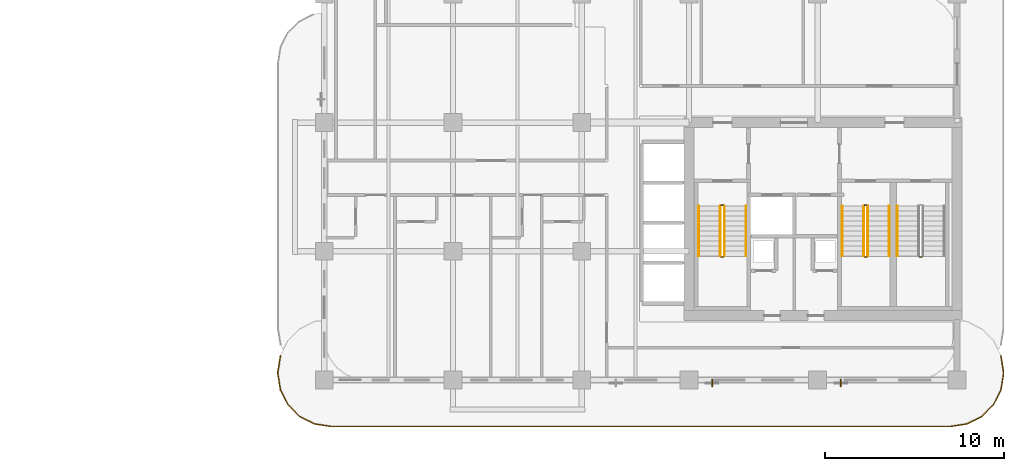
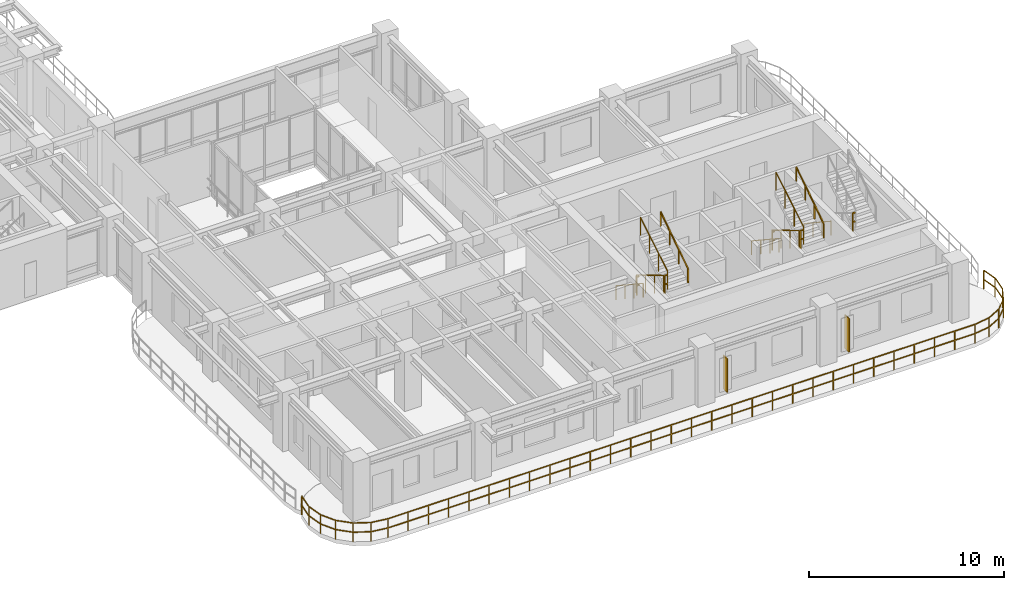
# One storey, part 17 of 20: 15 railings, 2 shading devices.
"""IFC4 building model written with IfcOpenShell, lengths in metres."""

from ifc_helpers import new_model, si_unit, derived_unit, direction, frame, origin, origin_2d, place, context, subcontext, project, spatial, rectangle, extrude, source, transform, mapped, material, layer, layer_set, type_object, type_shapes, element, save


model = new_model("IFC4")

# Units and contexts
model_context = context("Model", 3, precision=1e-05, world=origin(), true_north=direction((0.0, 1.0)))
body_context = subcontext(model_context, "Body", "Model", "MODEL_VIEW")
ifc_project = project(units=[si_unit("LENGTHUNIT", "METRE"), si_unit("AREAUNIT", "SQUARE_METRE"), si_unit("VOLUMEUNIT", "CUBIC_METRE"), si_unit("PLANEANGLEUNIT", "RADIAN"), si_unit("MASSUNIT", "GRAM", prefix="KILO"), si_unit("THERMODYNAMICTEMPERATUREUNIT", "KELVIN"), si_unit("POWERUNIT", "WATT"), derived_unit("THERMALTRANSMITTANCEUNIT", [(si_unit("POWERUNIT", "WATT"), 1), (si_unit("AREAUNIT", "SQUARE_METRE"), -1), (si_unit("THERMODYNAMICTEMPERATUREUNIT", "KELVIN"), -1)])], contexts=[model_context])

# Site, building, storey
site_placement = place(None, origin())
site = spatial("IfcSite", under=ifc_project, at=site_placement, CompositionType="ELEMENT")
building_placement = place(site_placement, origin())
building = spatial("IfcBuilding", under=site, at=building_placement, Name="Zahravan Archway Hotel and Residences", CompositionType="ELEMENT")
storey_placement = place(building_placement, frame((0.0, 0.0, 122.89990234375)))
storey = spatial("IfcBuildingStorey", under=building, at=storey_placement, Name="L30", CompositionType="ELEMENT", Elevation=122.89990234375)

# Railings
ifc_material_1 = material(Name="Bronze & Laminated Glass Balustrade", Category="glass")
railing_type_1 = type_object("IfcRailingType", Name="RL-BAL-1200", PredefinedType="BALUSTRADE", material=ifc_material_1)
railing_1_placement = place(storey_placement, frame((52.255615234375, 1.361572265625, 0.0)))
element("IfcRailing", 1, at=railing_1_placement, inside=storey, type_object=railing_type_1, Name="L30 Balustrade RL-SLB-BAL-L30-SA-1", PredefinedType="BALUSTRADE", context=body_context, shape_type="SweptSolid", body=[
    extrude(rectangle(XDim=0.048095703125, YDim=0.048095703125, at=origin_2d()), frame((0.0, 0.0, 1.17578125), z_axis=(0.156329311416, -0.987704989555, 0.0), x_axis=(0.987704989555, 0.156329311416, 0.0)), (0.0, 0.0, 1.0), 0.9228515625),
    extrude(rectangle(XDim=0.048095703125, YDim=0.048095703125, at=origin_2d()), frame((0.0, 0.0, 0.60009765625), z_axis=(0.156329311416, -0.987704989555, 0.0), x_axis=(0.987704989555, 0.156329311416, 0.0)), (0.0, 0.0, 1.0), 0.9228515625),
    extrude(rectangle(XDim=0.048095703125, YDim=0.048095703125, at=origin_2d()), frame((0.144287109375, -0.91162109375, 1.17578125), z_axis=(0.0, -1.0, 0.0), x_axis=(1.0, 0.0, 0.0)), (0.0, 0.0, 1.0), 0.099853515625),
    extrude(rectangle(XDim=0.048095703125, YDim=0.048095703125, at=origin_2d()), frame((0.144287109375, -0.91162109375, 0.60009765625), z_axis=(0.0, -1.0, 0.0), x_axis=(1.0, 0.0, 0.0)), (0.0, 0.0, 1.0), 0.099853515625),
    extrude(rectangle(XDim=0.048095703125, YDim=0.048095703125, at=origin_2d()), frame((0.144287109375, -1.011474609375, 1.17578125), z_axis=(-0.156329311416, -0.987704989555, 0.0), x_axis=(0.987704989555, -0.156329311416, 0.0)), (0.0, 0.0, 1.0), 0.9228515625),
    extrude(rectangle(XDim=0.048095703125, YDim=0.048095703125, at=origin_2d()), frame((0.144287109375, -1.011474609375, 0.60009765625), z_axis=(-0.156329311416, -0.987704989555, 0.0), x_axis=(0.987704989555, -0.156329311416, 0.0)), (0.0, 0.0, 1.0), 0.9228515625),
    extrude(rectangle(XDim=0.048095703125, YDim=0.048095703125, at=origin_2d()), frame((0.0, -1.923095703125, 1.17578125), z_axis=(-0.453866348456, -0.891069771532, 0.0), x_axis=(0.891069771532, -0.453866348456, 0.0)), (0.0, 0.0, 1.0), 0.923095703125),
    extrude(rectangle(XDim=0.048095703125, YDim=0.048095703125, at=origin_2d()), frame((0.0, -1.923095703125, 0.60009765625), z_axis=(-0.453866348456, -0.891069771532, 0.0), x_axis=(0.891069771532, -0.453866348456, 0.0)), (0.0, 0.0, 1.0), 0.923095703125),
    extrude(rectangle(XDim=0.048095703125, YDim=0.048095703125, at=origin_2d()), frame((-0.4189453125, -2.74560546875, 1.17578125), z_axis=(-0.707106781187, -0.707106781187, 0.0), x_axis=(0.707106781187, -0.707106781187, 0.0)), (0.0, 0.0, 1.0), 0.9228515625),
    extrude(rectangle(XDim=0.048095703125, YDim=0.048095703125, at=origin_2d()), frame((-0.4189453125, -2.74560546875, 0.60009765625), z_axis=(-0.707106781187, -0.707106781187, 0.0), x_axis=(0.707106781187, -0.707106781187, 0.0)), (0.0, 0.0, 1.0), 0.9228515625),
    extrude(rectangle(XDim=0.048095703125, YDim=0.048095703125, at=origin_2d()), frame((-1.071533203125, -3.398193359375, 1.17578125), z_axis=(-0.891069771532, -0.453866348456, 0.0), x_axis=(0.453866348456, -0.891069771532, 0.0)), (0.0, 0.0, 1.0), 0.923095703125),
    extrude(rectangle(XDim=0.048095703125, YDim=0.048095703125, at=origin_2d()), frame((-1.071533203125, -3.398193359375, 0.60009765625), z_axis=(-0.891069771532, -0.453866348456, 0.0), x_axis=(0.453866348456, -0.891069771532, 0.0)), (0.0, 0.0, 1.0), 0.923095703125),
    extrude(rectangle(XDim=0.048095703125, YDim=0.048095703125, at=origin_2d()), frame((-1.89404296875, -3.817138671875, 1.17578125), z_axis=(-0.98766411426, -0.156587347521, 0.0), x_axis=(0.156587347521, -0.98766411426, 0.0)), (0.0, 0.0, 1.0), 0.923095703125),
    extrude(rectangle(XDim=0.048095703125, YDim=0.048095703125, at=origin_2d()), frame((-1.89404296875, -3.817138671875, 0.60009765625), z_axis=(-0.98766411426, -0.156587347521, 0.0), x_axis=(0.156587347521, -0.98766411426, 0.0)), (0.0, 0.0, 1.0), 0.923095703125),
    extrude(rectangle(XDim=0.048095703125, YDim=0.048095703125, at=origin_2d()), frame((-2.8056640625, -3.961669921875, 1.17578125), z_axis=(-1.0, 0.0, 0.0), x_axis=(0.0, -1.0, 0.0)), (0.0, 0.0, 1.0), 34.699951171875),
    extrude(rectangle(XDim=0.048095703125, YDim=0.048095703125, at=origin_2d()), frame((-2.8056640625, -3.961669921875, 0.60009765625), z_axis=(-1.0, 0.0, 0.0), x_axis=(0.0, -1.0, 0.0)), (0.0, 0.0, 1.0), 34.699951171875),
    extrude(rectangle(XDim=0.048095703125, YDim=0.048095703125, at=origin_2d()), frame((-37.505615234375, -3.961669921875, 1.17578125), z_axis=(-0.98766411426, 0.156587347521, 0.0), x_axis=(-0.156587347521, -0.98766411426, 0.0)), (0.0, 0.0, 1.0), 0.923095703125),
    extrude(rectangle(XDim=0.048095703125, YDim=0.048095703125, at=origin_2d()), frame((-37.505615234375, -3.961669921875, 0.60009765625), z_axis=(-0.98766411426, 0.156587347521, 0.0), x_axis=(-0.156587347521, -0.98766411426, 0.0)), (0.0, 0.0, 1.0), 0.923095703125),
    extrude(rectangle(XDim=0.048095703125, YDim=0.048095703125, at=origin_2d()), frame((-38.417236328125, -3.817138671875, 1.17578125), z_axis=(-0.891015268556, 0.453973337542, 0.0), x_axis=(-0.453973337542, -0.891015268556, 0.0)), (0.0, 0.0, 1.0), 0.9228515625),
    extrude(rectangle(XDim=0.048095703125, YDim=0.048095703125, at=origin_2d()), frame((-38.417236328125, -3.817138671875, 0.60009765625), z_axis=(-0.891015268556, 0.453973337542, 0.0), x_axis=(-0.453973337542, -0.891015268556, 0.0)), (0.0, 0.0, 1.0), 0.9228515625),
    extrude(rectangle(XDim=0.048095703125, YDim=0.048095703125, at=origin_2d()), frame((-39.239501953125, -3.398193359375, 1.17578125), z_axis=(-0.707239012465, 0.706974525176, 0.0), x_axis=(-0.706974525176, -0.707239012465, 0.0)), (0.0, 0.0, 1.0), 0.923095703125),
    extrude(rectangle(XDim=0.048095703125, YDim=0.048095703125, at=origin_2d()), frame((-39.239501953125, -3.398193359375, 0.60009765625), z_axis=(-0.707239012465, 0.706974525176, 0.0), x_axis=(-0.706974525176, -0.707239012465, 0.0)), (0.0, 0.0, 1.0), 0.923095703125),
    extrude(rectangle(XDim=0.048095703125, YDim=0.048095703125, at=origin_2d()), frame((-39.892333984375, -2.74560546875, 1.17578125), z_axis=(-0.453866348456, 0.891069771532, 0.0), x_axis=(-0.891069771532, -0.453866348456, 0.0)), (0.0, 0.0, 1.0), 0.923095703125),
    extrude(rectangle(XDim=0.048095703125, YDim=0.048095703125, at=origin_2d()), frame((-39.892333984375, -2.74560546875, 0.60009765625), z_axis=(-0.453866348456, 0.891069771532, 0.0), x_axis=(-0.891069771532, -0.453866348456, 0.0)), (0.0, 0.0, 1.0), 0.923095703125),
    extrude(rectangle(XDim=0.048095703125, YDim=0.048095703125, at=origin_2d()), frame((-40.311279296875, -1.923095703125, 1.17578125), z_axis=(-0.156329311416, 0.987704989555, 0.0), x_axis=(-0.987704989555, -0.156329311416, 0.0)), (0.0, 0.0, 1.0), 0.9228515625),
    extrude(rectangle(XDim=0.048095703125, YDim=0.048095703125, at=origin_2d()), frame((-40.311279296875, -1.923095703125, 0.60009765625), z_axis=(-0.156329311416, 0.987704989555, 0.0), x_axis=(-0.987704989555, -0.156329311416, 0.0)), (0.0, 0.0, 1.0), 0.9228515625),
    extrude(rectangle(XDim=0.048095703125, YDim=0.048095703125, at=origin_2d()), frame((-40.45556640625, -1.011474609375, 1.17578125), z_axis=(0.0, 1.0, 0.0), x_axis=(-1.0, 0.0, 0.0)), (0.0, 0.0, 1.0), 0.099853515625),
    extrude(rectangle(XDim=0.048095703125, YDim=0.048095703125, at=origin_2d()), frame((-40.45556640625, -1.011474609375, 0.60009765625), z_axis=(0.0, 1.0, 0.0), x_axis=(-1.0, 0.0, 0.0)), (0.0, 0.0, 1.0), 0.099853515625),
    extrude(rectangle(XDim=0.048095703125, YDim=0.048095703125, at=origin_2d()), frame((-40.45556640625, -0.91162109375, 1.17578125), z_axis=(0.156329311416, 0.987704989555, 0.0), x_axis=(-0.987704989555, 0.156329311416, 0.0)), (0.0, 0.0, 1.0), 0.9228515625),
    extrude(rectangle(XDim=0.048095703125, YDim=0.048095703125, at=origin_2d()), frame((-40.45556640625, -0.91162109375, 0.60009765625), z_axis=(0.156329311416, 0.987704989555, 0.0), x_axis=(-0.987704989555, 0.156329311416, 0.0)), (0.0, 0.0, 1.0), 0.9228515625),
    extrude(rectangle(XDim=0.0419921875, YDim=0.0419921875, at=origin_2d()), origin(), (0.0, 0.0, 1.0), 1.15185546875),
    extrude(rectangle(XDim=0.0419921875, YDim=0.0419921875, at=origin_2d()), frame((0.144287109375, -0.91162109375, 0.0)), (0.0, 0.0, 1.0), 1.15185546875),
    extrude(rectangle(XDim=0.0419921875, YDim=0.0419921875, at=origin_2d()), frame((0.0, -1.923095703125, 0.0)), (0.0, 0.0, 1.0), 1.15185546875),
    extrude(rectangle(XDim=0.0419921875, YDim=0.0419921875, at=origin_2d()), frame((-0.4189453125, -2.74560546875, 0.0)), (0.0, 0.0, 1.0), 1.15185546875),
    extrude(rectangle(XDim=0.0419921875, YDim=0.0419921875, at=origin_2d()), frame((-1.071533203125, -3.398193359375, 0.0)), (0.0, 0.0, 1.0), 1.15185546875),
    extrude(rectangle(XDim=0.0419921875, YDim=0.0419921875, at=origin_2d()), frame((-1.89404296875, -3.817138671875, 0.0)), (0.0, 0.0, 1.0), 1.15185546875),
    extrude(rectangle(XDim=0.0419921875, YDim=0.0419921875, at=origin_2d()), frame((-2.8056640625, -3.961669921875, 0.0)), (0.0, 0.0, 1.0), 1.15185546875),
    extrude(rectangle(XDim=0.0419921875, YDim=0.0419921875, at=origin_2d()), frame((-4.002197265625, -3.961669921875, 0.0)), (0.0, 0.0, 1.0), 1.15185546875),
    extrude(rectangle(XDim=0.0419921875, YDim=0.0419921875, at=origin_2d()), frame((-5.19873046875, -3.961669921875, 0.0)), (0.0, 0.0, 1.0), 1.15185546875),
    extrude(rectangle(XDim=0.0419921875, YDim=0.0419921875, at=origin_2d()), frame((-6.395263671875, -3.961669921875, 0.0)), (0.0, 0.0, 1.0), 1.15185546875),
    extrude(rectangle(XDim=0.0419921875, YDim=0.0419921875, at=origin_2d()), frame((-7.591796875, -3.961669921875, 0.0)), (0.0, 0.0, 1.0), 1.15185546875),
    extrude(rectangle(XDim=0.0419921875, YDim=0.0419921875, at=origin_2d()), frame((-8.788330078125, -3.961669921875, 0.0)), (0.0, 0.0, 1.0), 1.15185546875),
    extrude(rectangle(XDim=0.0419921875, YDim=0.0419921875, at=origin_2d()), frame((-9.98486328125, -3.961669921875, 0.0)), (0.0, 0.0, 1.0), 1.15185546875),
    extrude(rectangle(XDim=0.0419921875, YDim=0.0419921875, at=origin_2d()), frame((-11.181396484375, -3.961669921875, 0.0)), (0.0, 0.0, 1.0), 1.15185546875),
    extrude(rectangle(XDim=0.0419921875, YDim=0.0419921875, at=origin_2d()), frame((-12.378173828125, -3.961669921875, 0.0)), (0.0, 0.0, 1.0), 1.15185546875),
    extrude(rectangle(XDim=0.0419921875, YDim=0.0419921875, at=origin_2d()), frame((-13.57470703125, -3.961669921875, 0.0)), (0.0, 0.0, 1.0), 1.15185546875),
    extrude(rectangle(XDim=0.0419921875, YDim=0.0419921875, at=origin_2d()), frame((-14.771240234375, -3.961669921875, 0.0)), (0.0, 0.0, 1.0), 1.15185546875),
    extrude(rectangle(XDim=0.0419921875, YDim=0.0419921875, at=origin_2d()), frame((-15.9677734375, -3.961669921875, 0.0)), (0.0, 0.0, 1.0), 1.15185546875),
    extrude(rectangle(XDim=0.0419921875, YDim=0.0419921875, at=origin_2d()), frame((-17.164306640625, -3.961669921875, 0.0)), (0.0, 0.0, 1.0), 1.15185546875),
    extrude(rectangle(XDim=0.0419921875, YDim=0.0419921875, at=origin_2d()), frame((-18.36083984375, -3.961669921875, 0.0)), (0.0, 0.0, 1.0), 1.15185546875),
    extrude(rectangle(XDim=0.0419921875, YDim=0.0419921875, at=origin_2d()), frame((-19.557373046875, -3.961669921875, 0.0)), (0.0, 0.0, 1.0), 1.15185546875),
    extrude(rectangle(XDim=0.0419921875, YDim=0.0419921875, at=origin_2d()), frame((-20.75390625, -3.961669921875, 0.0)), (0.0, 0.0, 1.0), 1.15185546875),
    extrude(rectangle(XDim=0.0419921875, YDim=0.0419921875, at=origin_2d()), frame((-21.950439453125, -3.961669921875, 0.0)), (0.0, 0.0, 1.0), 1.15185546875),
    extrude(rectangle(XDim=0.0419921875, YDim=0.0419921875, at=origin_2d()), frame((-23.14697265625, -3.961669921875, 0.0)), (0.0, 0.0, 1.0), 1.15185546875),
    extrude(rectangle(XDim=0.0419921875, YDim=0.0419921875, at=origin_2d()), frame((-24.343505859375, -3.961669921875, 0.0)), (0.0, 0.0, 1.0), 1.15185546875),
    extrude(rectangle(XDim=0.0419921875, YDim=0.0419921875, at=origin_2d()), frame((-25.5400390625, -3.961669921875, 0.0)), (0.0, 0.0, 1.0), 1.15185546875),
    extrude(rectangle(XDim=0.0419921875, YDim=0.0419921875, at=origin_2d()), frame((-26.736572265625, -3.961669921875, 0.0)), (0.0, 0.0, 1.0), 1.15185546875),
    extrude(rectangle(XDim=0.0419921875, YDim=0.0419921875, at=origin_2d()), frame((-27.93310546875, -3.961669921875, 0.0)), (0.0, 0.0, 1.0), 1.15185546875),
    extrude(rectangle(XDim=0.0419921875, YDim=0.0419921875, at=origin_2d()), frame((-29.1298828125, -3.961669921875, 0.0)), (0.0, 0.0, 1.0), 1.15185546875),
    extrude(rectangle(XDim=0.0419921875, YDim=0.0419921875, at=origin_2d()), frame((-30.326416015625, -3.961669921875, 0.0)), (0.0, 0.0, 1.0), 1.15185546875),
    extrude(rectangle(XDim=0.0419921875, YDim=0.0419921875, at=origin_2d()), frame((-31.52294921875, -3.961669921875, 0.0)), (0.0, 0.0, 1.0), 1.15185546875),
    extrude(rectangle(XDim=0.0419921875, YDim=0.0419921875, at=origin_2d()), frame((-32.719482421875, -3.961669921875, 0.0)), (0.0, 0.0, 1.0), 1.15185546875),
    extrude(rectangle(XDim=0.0419921875, YDim=0.0419921875, at=origin_2d()), frame((-33.916015625, -3.961669921875, 0.0)), (0.0, 0.0, 1.0), 1.15185546875),
    extrude(rectangle(XDim=0.0419921875, YDim=0.0419921875, at=origin_2d()), frame((-35.112548828125, -3.961669921875, 0.0)), (0.0, 0.0, 1.0), 1.15185546875),
    extrude(rectangle(XDim=0.0419921875, YDim=0.0419921875, at=origin_2d()), frame((-36.30908203125, -3.961669921875, 0.0)), (0.0, 0.0, 1.0), 1.15185546875),
    extrude(rectangle(XDim=0.0419921875, YDim=0.0419921875, at=origin_2d()), frame((-37.505615234375, -3.961669921875, 0.0)), (0.0, 0.0, 1.0), 1.15185546875),
    extrude(rectangle(XDim=0.0419921875, YDim=0.0419921875, at=origin_2d()), frame((-38.417236328125, -3.817138671875, 0.0)), (0.0, 0.0, 1.0), 1.15185546875),
    extrude(rectangle(XDim=0.0419921875, YDim=0.0419921875, at=origin_2d()), frame((-39.239501953125, -3.398193359375, 0.0)), (0.0, 0.0, 1.0), 1.15185546875),
    extrude(rectangle(XDim=0.0419921875, YDim=0.0419921875, at=origin_2d()), frame((-39.892333984375, -2.74560546875, 0.0)), (0.0, 0.0, 1.0), 1.15185546875),
    extrude(rectangle(XDim=0.0419921875, YDim=0.0419921875, at=origin_2d()), frame((-40.311279296875, -1.923095703125, 0.0)), (0.0, 0.0, 1.0), 1.15185546875),
    extrude(rectangle(XDim=0.0419921875, YDim=0.0419921875, at=origin_2d()), frame((-40.45556640625, -1.011474609375, 0.0)), (0.0, 0.0, 1.0), 1.15185546875),
    extrude(rectangle(XDim=0.0419921875, YDim=0.0419921875, at=origin_2d()), frame((-40.311279296875, 0.0, 0.0)), (0.0, 0.0, 1.0), 1.15185546875),
])
ifc_material_2 = material(Name="Painted Tubular Steel", Category="steel")
railing_type_2 = type_object("IfcRailingType", Name="RL-STG-1150", PredefinedType="GUARDRAIL", material=ifc_material_2)
railing_2_placement = place(storey_placement, frame((36.550048828125, 9.72998046875, 0.168212890625)))
element("IfcRailing", 2, at=railing_2_placement, inside=storey, type_object=railing_type_2, Name="L30 ST-A1 stair guard 1", PredefinedType="GUARDRAIL", context=body_context, shape_type="SweptSolid", body=[
    extrude(rectangle(XDim=0.048095703125, YDim=0.048095703125, at=origin_2d()), frame((0.0, 0.0, 1.1259765625), z_axis=(0.0, -0.857242210791, 0.514913383045), x_axis=(1.0, 0.0, 0.0)), (0.0, 0.0, 1.0), 3.266357421875),
    extrude(rectangle(XDim=0.0419921875, YDim=0.0419921875, at=origin_2d()), origin(), (0.0, 0.0, 1.0), 1.101806640625),
    extrude(rectangle(XDim=0.0419921875, YDim=0.0419921875, at=origin_2d()), frame((0.0, -0.933349609375, 0.560546875)), (0.0, 0.0, 1.0), 1.101806640625),
    extrude(rectangle(XDim=0.0419921875, YDim=0.0419921875, at=origin_2d()), frame((0.0, -1.86669921875, 1.121337890625)), (0.0, 0.0, 1.0), 1.101806640625),
    extrude(rectangle(XDim=0.0419921875, YDim=0.0419921875, at=origin_2d()), frame((0.0, -2.800048828125, 1.681884765625)), (0.0, 0.0, 1.0), 1.101806640625),
])
railing_3_placement = place(storey_placement, frame((36.60009765625, 6.8798828125, 1.85009765625)))
element("IfcRailing", 3, at=railing_3_placement, inside=storey, type_object=railing_type_2, Name="L30 ST-A1 stair guard 2", PredefinedType="GUARDRAIL", context=body_context, shape_type="SweptSolid", body=[
    extrude(rectangle(XDim=0.048095703125, YDim=0.048095703125, at=origin_2d()), frame((0.0, 0.0, 1.1259765625), z_axis=(1.0, 0.0, 0.0), x_axis=(0.0, 1.0, 0.0)), (0.0, 0.0, 1.0), 0.139892578125),
    extrude(rectangle(XDim=0.048095703125, YDim=0.048095703125, at=origin_2d()), frame((0.0, 0.0, 0.574951171875), z_axis=(1.0, 0.0, 0.0), x_axis=(0.0, 1.0, 0.0)), (0.0, 0.0, 1.0), 0.139892578125),
    extrude(rectangle(XDim=0.0419921875, YDim=0.0419921875, at=origin_2d()), origin(), (0.0, 0.0, 1.0), 1.101806640625),
])
railing_4_placement = place(storey_placement, frame((36.7900390625, 6.929931640625, 2.018310546875)))
element("IfcRailing", 4, at=railing_4_placement, inside=storey, type_object=railing_type_2, Name="L30 ST-A1 stair guard 3", PredefinedType="GUARDRAIL", context=body_context, shape_type="SweptSolid", body=[
    extrude(rectangle(XDim=0.048095703125, YDim=0.048095703125, at=origin_2d()), frame((0.0, 0.0, 1.1259765625), z_axis=(0.0, 0.857242210791, 0.514913383045), x_axis=(-1.0, 0.0, 0.0)), (0.0, 0.0, 1.0), 3.266357421875),
    extrude(rectangle(XDim=0.0419921875, YDim=0.0419921875, at=origin_2d()), origin(), (0.0, 0.0, 1.0), 1.101806640625),
    extrude(rectangle(XDim=0.0419921875, YDim=0.0419921875, at=origin_2d()), frame((0.0, 0.933349609375, 0.560546875)), (0.0, 0.0, 1.0), 1.101806640625),
    extrude(rectangle(XDim=0.0419921875, YDim=0.0419921875, at=origin_2d()), frame((0.0, 1.86669921875, 1.121337890625)), (0.0, 0.0, 1.0), 1.101806640625),
    extrude(rectangle(XDim=0.0419921875, YDim=0.0419921875, at=origin_2d()), frame((0.0, 2.800048828125, 1.681884765625)), (0.0, 0.0, 1.0), 1.101806640625),
])
railing_5_placement = place(storey_placement, frame((36.60009765625, 9.780029296875, 0.0)))
element("IfcRailing", 5, at=railing_5_placement, inside=storey, type_object=railing_type_2, Name="L30 ST-A1 stair guard 4", PredefinedType="GUARDRAIL", context=body_context, shape_type="SweptSolid", body=[
    extrude(rectangle(XDim=0.048095703125, YDim=0.048095703125, at=origin_2d()), frame((0.0, 0.0, 1.1259765625), z_axis=(1.0, 0.0, 0.0), x_axis=(0.0, 1.0, 0.0)), (0.0, 0.0, 1.0), 0.139892578125),
    extrude(rectangle(XDim=0.048095703125, YDim=0.048095703125, at=origin_2d()), frame((0.0, 0.0, 0.574951171875), z_axis=(1.0, 0.0, 0.0), x_axis=(0.0, 1.0, 0.0)), (0.0, 0.0, 1.0), 0.139892578125),
    extrude(rectangle(XDim=0.0419921875, YDim=0.0419921875, at=origin_2d()), origin(), (0.0, 0.0, 1.0), 1.101806640625),
])
railing_6_placement = place(storey_placement, frame((44.570068359375, 9.72998046875, 0.168212890625)))
element("IfcRailing", 6, at=railing_6_placement, inside=storey, type_object=railing_type_2, Name="L30 ST-A2 stair guard 1", PredefinedType="GUARDRAIL", context=body_context, shape_type="SweptSolid", body=[
    extrude(rectangle(XDim=0.048095703125, YDim=0.048095703125, at=origin_2d()), frame((0.0, 0.0, 1.1259765625), z_axis=(0.0, -0.857242210791, 0.514913383045), x_axis=(1.0, 0.0, 0.0)), (0.0, 0.0, 1.0), 3.266357421875),
    extrude(rectangle(XDim=0.0419921875, YDim=0.0419921875, at=origin_2d()), origin(), (0.0, 0.0, 1.0), 1.101806640625),
    extrude(rectangle(XDim=0.0419921875, YDim=0.0419921875, at=origin_2d()), frame((0.0, -0.933349609375, 0.560546875)), (0.0, 0.0, 1.0), 1.101806640625),
    extrude(rectangle(XDim=0.0419921875, YDim=0.0419921875, at=origin_2d()), frame((0.0, -1.86669921875, 1.121337890625)), (0.0, 0.0, 1.0), 1.101806640625),
    extrude(rectangle(XDim=0.0419921875, YDim=0.0419921875, at=origin_2d()), frame((0.0, -2.800048828125, 1.681884765625)), (0.0, 0.0, 1.0), 1.101806640625),
])
railing_7_placement = place(storey_placement, frame((44.6201171875, 6.8798828125, 1.85009765625)))
element("IfcRailing", 7, at=railing_7_placement, inside=storey, type_object=railing_type_2, Name="L30 ST-A2 stair guard 2", PredefinedType="GUARDRAIL", context=body_context, shape_type="SweptSolid", body=[
    extrude(rectangle(XDim=0.048095703125, YDim=0.048095703125, at=origin_2d()), frame((0.0, 0.0, 1.1259765625), z_axis=(1.0, 0.0, 0.0), x_axis=(0.0, 1.0, 0.0)), (0.0, 0.0, 1.0), 0.139892578125),
    extrude(rectangle(XDim=0.048095703125, YDim=0.048095703125, at=origin_2d()), frame((0.0, 0.0, 0.574951171875), z_axis=(1.0, 0.0, 0.0), x_axis=(0.0, 1.0, 0.0)), (0.0, 0.0, 1.0), 0.139892578125),
    extrude(rectangle(XDim=0.0419921875, YDim=0.0419921875, at=origin_2d()), origin(), (0.0, 0.0, 1.0), 1.101806640625),
])
railing_8_placement = place(storey_placement, frame((44.81005859375, 6.929931640625, 2.018310546875)))
element("IfcRailing", 8, at=railing_8_placement, inside=storey, type_object=railing_type_2, Name="L30 ST-A2 stair guard 3", PredefinedType="GUARDRAIL", context=body_context, shape_type="SweptSolid", body=[
    extrude(rectangle(XDim=0.048095703125, YDim=0.048095703125, at=origin_2d()), frame((0.0, 0.0, 1.1259765625), z_axis=(0.0, 0.857242210791, 0.514913383045), x_axis=(-1.0, 0.0, 0.0)), (0.0, 0.0, 1.0), 3.266357421875),
    extrude(rectangle(XDim=0.0419921875, YDim=0.0419921875, at=origin_2d()), origin(), (0.0, 0.0, 1.0), 1.101806640625),
    extrude(rectangle(XDim=0.0419921875, YDim=0.0419921875, at=origin_2d()), frame((0.0, 0.933349609375, 0.560546875)), (0.0, 0.0, 1.0), 1.101806640625),
    extrude(rectangle(XDim=0.0419921875, YDim=0.0419921875, at=origin_2d()), frame((0.0, 1.86669921875, 1.121337890625)), (0.0, 0.0, 1.0), 1.101806640625),
    extrude(rectangle(XDim=0.0419921875, YDim=0.0419921875, at=origin_2d()), frame((0.0, 2.800048828125, 1.681884765625)), (0.0, 0.0, 1.0), 1.101806640625),
])
railing_9_placement = place(storey_placement, frame((44.6201171875, 9.780029296875, 0.0)))
element("IfcRailing", 9, at=railing_9_placement, inside=storey, type_object=railing_type_2, Name="L30 ST-A2 stair guard 4", PredefinedType="GUARDRAIL", context=body_context, shape_type="SweptSolid", body=[
    extrude(rectangle(XDim=0.048095703125, YDim=0.048095703125, at=origin_2d()), frame((0.0, 0.0, 1.1259765625), z_axis=(1.0, 0.0, 0.0), x_axis=(0.0, 1.0, 0.0)), (0.0, 0.0, 1.0), 0.139892578125),
    extrude(rectangle(XDim=0.048095703125, YDim=0.048095703125, at=origin_2d()), frame((0.0, 0.0, 0.574951171875), z_axis=(1.0, 0.0, 0.0), x_axis=(0.0, 1.0, 0.0)), (0.0, 0.0, 1.0), 0.139892578125),
    extrude(rectangle(XDim=0.0419921875, YDim=0.0419921875, at=origin_2d()), origin(), (0.0, 0.0, 1.0), 1.101806640625),
])
railing_10_placement = place(storey_placement, frame((47.699951171875, 6.8798828125, 1.85009765625)))
element("IfcRailing", 10, at=railing_10_placement, inside=storey, type_object=railing_type_2, Name="L30 ST-A3 stair guard 2", PredefinedType="GUARDRAIL", context=body_context, shape_type="SweptSolid", body=[
    extrude(rectangle(XDim=0.048095703125, YDim=0.048095703125, at=origin_2d()), frame((0.0, 0.0, 1.1259765625), z_axis=(1.0, 0.0, 0.0), x_axis=(0.0, 1.0, 0.0)), (0.0, 0.0, 1.0), 0.14013671875),
    extrude(rectangle(XDim=0.048095703125, YDim=0.048095703125, at=origin_2d()), frame((0.0, 0.0, 0.574951171875), z_axis=(1.0, 0.0, 0.0), x_axis=(0.0, 1.0, 0.0)), (0.0, 0.0, 1.0), 0.14013671875),
    extrude(rectangle(XDim=0.0419921875, YDim=0.0419921875, at=origin_2d()), origin(), (0.0, 0.0, 1.0), 1.101806640625),
])
ifc_material_3 = material(Name="Brushed Stainless Steel", Category="steel")
railing_type_3 = type_object("IfcRailingType", Name="RL-STH-900", PredefinedType="HANDRAIL", material=ifc_material_3)
railing_11_placement = place(storey_placement, frame((35.35009765625, 9.72998046875, 0.168212890625)))
element("IfcRailing", 11, at=railing_11_placement, inside=storey, type_object=railing_type_3, Name="L30 ST-A1 stair handrail 1", PredefinedType="HANDRAIL", context=body_context, shape_type="SweptSolid", body=[
    extrude(rectangle(XDim=0.048095703125, YDim=0.048095703125, at=origin_2d()), frame((0.0, 0.0, 0.8759765625), z_axis=(0.0, -0.834326358476, 0.551270829586), x_axis=(1.0, 0.0, 0.0)), (0.0, 0.0, 1.0), 3.35595703125),
    extrude(rectangle(XDim=0.0419921875, YDim=0.0419921875, at=origin_2d()), origin(), (0.0, 0.0, 1.0), 0.851806640625),
    extrude(rectangle(XDim=0.0419921875, YDim=0.0419921875, at=origin_2d()), frame((0.0, -0.933349609375, 0.61669921875)), (0.0, 0.0, 1.0), 0.851806640625),
    extrude(rectangle(XDim=0.0419921875, YDim=0.0419921875, at=origin_2d()), frame((0.0, -1.86669921875, 1.2333984375)), (0.0, 0.0, 1.0), 0.851806640625),
    extrude(rectangle(XDim=0.0419921875, YDim=0.0419921875, at=origin_2d()), frame((0.0, -2.800048828125, 1.85009765625)), (0.0, 0.0, 1.0), 0.851806640625),
])
railing_12_placement = place(storey_placement, frame((37.989990234375, 6.929931640625, 2.018310546875)))
element("IfcRailing", 12, at=railing_12_placement, inside=storey, type_object=railing_type_3, Name="L30 ST-A1 stair handrail 2", PredefinedType="HANDRAIL", context=body_context, shape_type="SweptSolid", body=[
    extrude(rectangle(XDim=0.048095703125, YDim=0.048095703125, at=origin_2d()), frame((0.0, 0.0, 0.8759765625), z_axis=(0.0, 0.83435981716, 0.551220187865), x_axis=(-1.0, 0.0, 0.0)), (0.0, 0.0, 1.0), 3.35595703125),
    extrude(rectangle(XDim=0.0419921875, YDim=0.0419921875, at=origin_2d()), origin(), (0.0, 0.0, 1.0), 0.851806640625),
    extrude(rectangle(XDim=0.0419921875, YDim=0.0419921875, at=origin_2d()), frame((0.0, 0.933349609375, 0.61669921875)), (0.0, 0.0, 1.0), 0.851806640625),
    extrude(rectangle(XDim=0.0419921875, YDim=0.0419921875, at=origin_2d()), frame((0.0, 1.86669921875, 1.233154296875)), (0.0, 0.0, 1.0), 0.851806640625),
    extrude(rectangle(XDim=0.0419921875, YDim=0.0419921875, at=origin_2d()), frame((0.0, 2.800048828125, 1.849853515625)), (0.0, 0.0, 1.0), 0.851806640625),
])
railing_13_placement = place(storey_placement, frame((43.3701171875, 9.72998046875, 0.168212890625)))
element("IfcRailing", 13, at=railing_13_placement, inside=storey, type_object=railing_type_3, Name="L30 ST-A2 stair handrail 1", PredefinedType="HANDRAIL", context=body_context, shape_type="SweptSolid", body=[
    extrude(rectangle(XDim=0.048095703125, YDim=0.048095703125, at=origin_2d()), frame((0.0, 0.0, 0.8759765625), z_axis=(0.0, -0.834326358476, 0.551270829586), x_axis=(1.0, 0.0, 0.0)), (0.0, 0.0, 1.0), 3.35595703125),
    extrude(rectangle(XDim=0.0419921875, YDim=0.0419921875, at=origin_2d()), origin(), (0.0, 0.0, 1.0), 0.851806640625),
    extrude(rectangle(XDim=0.0419921875, YDim=0.0419921875, at=origin_2d()), frame((0.0, -0.933349609375, 0.61669921875)), (0.0, 0.0, 1.0), 0.851806640625),
    extrude(rectangle(XDim=0.0419921875, YDim=0.0419921875, at=origin_2d()), frame((0.0, -1.86669921875, 1.2333984375)), (0.0, 0.0, 1.0), 0.851806640625),
    extrude(rectangle(XDim=0.0419921875, YDim=0.0419921875, at=origin_2d()), frame((0.0, -2.800048828125, 1.85009765625)), (0.0, 0.0, 1.0), 0.851806640625),
])
railing_14_placement = place(storey_placement, frame((46.010009765625, 6.929931640625, 2.018310546875)))
element("IfcRailing", 14, at=railing_14_placement, inside=storey, type_object=railing_type_3, Name="L30 ST-A2 stair handrail 2", PredefinedType="HANDRAIL", context=body_context, shape_type="SweptSolid", body=[
    extrude(rectangle(XDim=0.048095703125, YDim=0.048095703125, at=origin_2d()), frame((0.0, 0.0, 0.8759765625), z_axis=(0.0, 0.83435981716, 0.551220187865), x_axis=(-1.0, 0.0, 0.0)), (0.0, 0.0, 1.0), 3.35595703125),
    extrude(rectangle(XDim=0.0419921875, YDim=0.0419921875, at=origin_2d()), origin(), (0.0, 0.0, 1.0), 0.851806640625),
    extrude(rectangle(XDim=0.0419921875, YDim=0.0419921875, at=origin_2d()), frame((0.0, 0.933349609375, 0.61669921875)), (0.0, 0.0, 1.0), 0.851806640625),
    extrude(rectangle(XDim=0.0419921875, YDim=0.0419921875, at=origin_2d()), frame((0.0, 1.86669921875, 1.233154296875)), (0.0, 0.0, 1.0), 0.851806640625),
    extrude(rectangle(XDim=0.0419921875, YDim=0.0419921875, at=origin_2d()), frame((0.0, 2.800048828125, 1.849853515625)), (0.0, 0.0, 1.0), 0.851806640625),
])
railing_15_placement = place(storey_placement, frame((46.449951171875, 9.72998046875, 0.168212890625)))
element("IfcRailing", 15, at=railing_15_placement, inside=storey, type_object=railing_type_3, Name="L30 ST-A3 stair handrail 1", PredefinedType="HANDRAIL", context=body_context, shape_type="SweptSolid", body=[
    extrude(rectangle(XDim=0.048095703125, YDim=0.048095703125, at=origin_2d()), frame((0.0, 0.0, 0.8759765625), z_axis=(0.0, -0.834326358476, 0.551270829586), x_axis=(1.0, 0.0, 0.0)), (0.0, 0.0, 1.0), 3.35595703125),
    extrude(rectangle(XDim=0.0419921875, YDim=0.0419921875, at=origin_2d()), origin(), (0.0, 0.0, 1.0), 0.851806640625),
    extrude(rectangle(XDim=0.0419921875, YDim=0.0419921875, at=origin_2d()), frame((0.0, -0.933349609375, 0.61669921875)), (0.0, 0.0, 1.0), 0.851806640625),
    extrude(rectangle(XDim=0.0419921875, YDim=0.0419921875, at=origin_2d()), frame((0.0, -1.86669921875, 1.2333984375)), (0.0, 0.0, 1.0), 0.851806640625),
    extrude(rectangle(XDim=0.0419921875, YDim=0.0419921875, at=origin_2d()), frame((0.0, -2.800048828125, 1.85009765625)), (0.0, 0.0, 1.0), 0.851806640625),
])

# Shading devices
ifc_material_4 = material(Name="Terracotta & Bronze Solar Brise-Soleil", Category="masonry")
ifc_layer = layer(ifc_material_4, 0.06005859375, Name="Terracotta & Bronze Solar Brise-Soleil", Category="masonry")
ifc_layer_set = layer_set([ifc_layer], Name="Terracotta & Bronze Solar Brise-Soleil")
shading_device_type = type_object("IfcShadingDeviceType", Name="SHD-MASH-FIN", PredefinedType="JALOUSIE", material=ifc_layer_set)
shared_shape = source(origin(), body_context, "Body", "SweptSolid", [
    extrude(rectangle(XDim=0.06005859375, YDim=0.419921875, at=origin_2d()), origin(), (0.0, 0.0, 1.0), 2.10009765625),
])
type_shapes(shading_device_type, [shared_shape])
for number, where, z_axis, x_axis, name in (
    (16, (36.10009765625, -0.177978515625, 0.25), (0.0, 0.0, 1.0), (1.0, 0.0, 0.0), "L30 Solar Mashrabiya Fin 02"),
    (17, (43.300048828125, -0.177978515625, 0.25), (0.0, 0.0, 1.0), (1.0, 0.0, 0.0), "L30 Solar Mashrabiya Fin 03"),
):
    element("IfcShadingDevice", number, at=place(storey_placement, frame(where, z_axis=z_axis, x_axis=x_axis)), inside=storey, type_object=shading_device_type, Name=name, PredefinedType="JALOUSIE", context=body_context, shape_type="MappedRepresentation", body=[
        mapped(shared_shape, transform((0.0, 0.0, 0.0), scale=1.0)),
    ])

save(model, "model.ifc")
